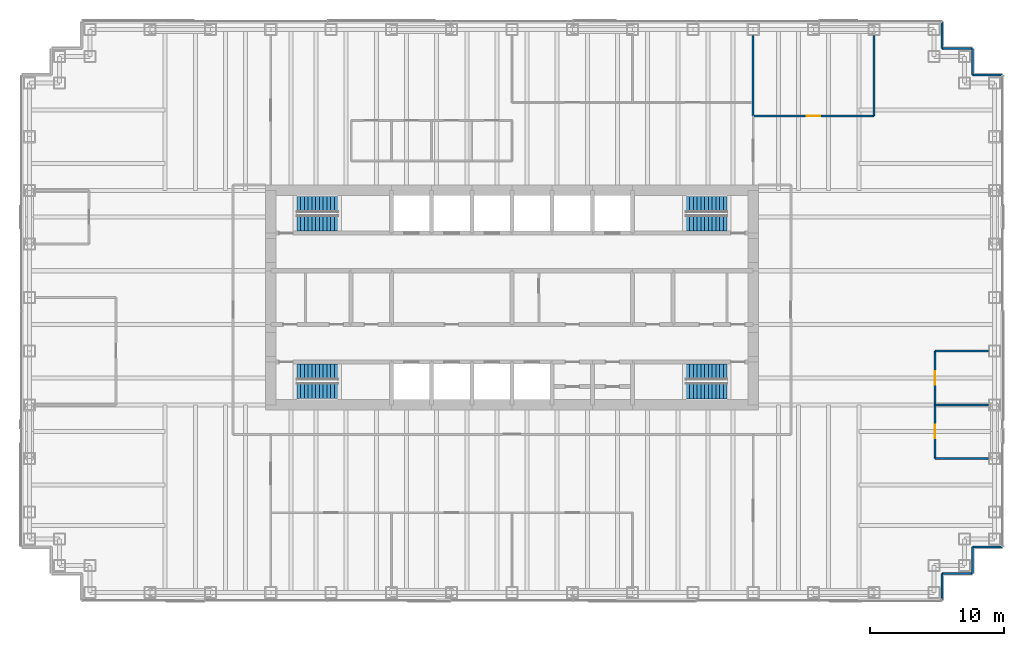
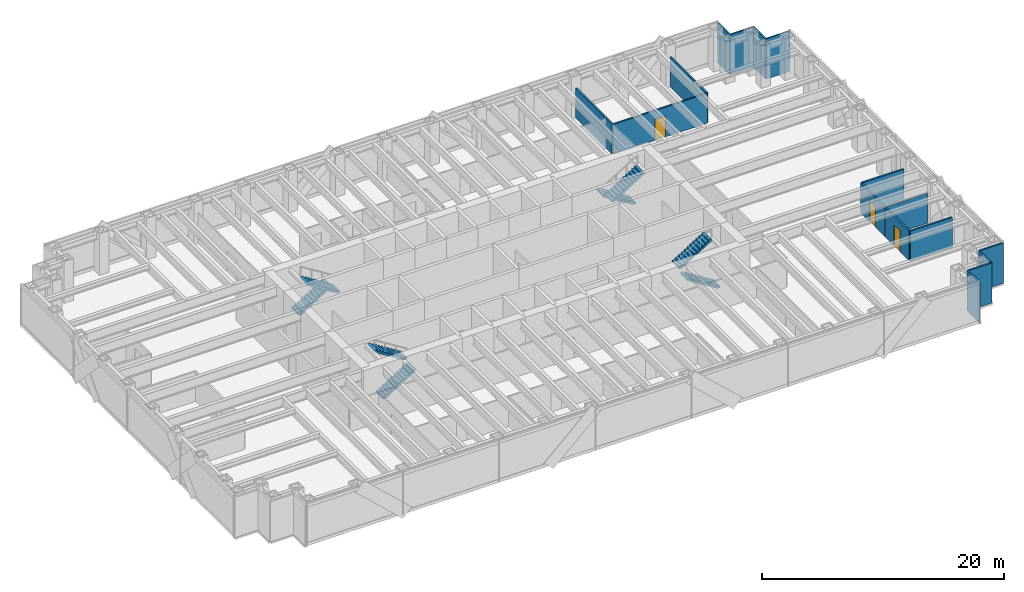
# One storey, part 18 of 19: 16 walls, 8 stair flights, 3 doors, 3 openings, 4 elements without a shape of their own.
"""IFC4 building model written with IfcOpenShell, lengths in metres."""

from ifc_helpers import new_model, si_unit, direction, frame, frame_2d, origin, place, context, subcontext, project, spatial, polyline, rectangle, outline, extrude, material, layer, layer_set, type_object, element, fill, aggregate, save


model = new_model("IFC4")

# Units and contexts
model_context = context("Model", 3, precision=1e-05, world=origin(), true_north=direction((0.0, 1.0)))
body_context = subcontext(model_context, "Body", "Model", "MODEL_VIEW")
ifc_project = project(units=[si_unit("LENGTHUNIT", "METRE"), si_unit("AREAUNIT", "SQUARE_METRE"), si_unit("VOLUMEUNIT", "CUBIC_METRE"), si_unit("PLANEANGLEUNIT", "RADIAN"), si_unit("MASSUNIT", "GRAM", prefix="KILO")], contexts=[model_context])

# Site, building, storey
site_placement = place(None, origin())
site = spatial("IfcSite", under=ifc_project, at=site_placement, CompositionType="ELEMENT")
building_placement = place(site_placement, origin())
building = spatial("IfcBuilding", under=site, at=building_placement, Name="Rheinbord Bourse Tower", CompositionType="ELEMENT")
storey_placement = place(building_placement, frame((0.0, 0.0, 206.800048828125)))
storey = spatial("IfcBuildingStorey", under=building, at=storey_placement, Name="L46", CompositionType="ELEMENT", Elevation=206.800048828125)

# Walls
ifc_material_1 = material(Name="Black metal rainscreen panel", Category="aluminium")
ifc_layer_1 = layer(ifc_material_1, 0.14990234375)
ifc_layer_set_1 = layer_set([ifc_layer_1], Name="CORNER PIER CLADDING 150")
wall_type_1 = type_object("IfcWallType", Name="CORNER PIER CLADDING 150", PredefinedType="ELEMENTEDWALL", material=ifc_layer_set_1)
wall_1_placement = place(storey_placement, frame((68.10009765625, 1.39990234375, 0.0), z_axis=(0.0, 0.0, 1.0), x_axis=(0.0, 1.0, 0.0)))
element("IfcWall", 1, at=wall_1_placement, inside=storey, type_object=wall_type_1, Name="Corner pier cladding L46 2", PredefinedType="ELEMENTEDWALL", context=body_context, shape_type="SweptSolid", body=[
    extrude(rectangle(XDim=2.0, YDim=0.14990234375, at=frame_2d((1.0, 0.0))), origin(), (0.0, 0.0, 1.0), 4.0400390625),
])
wall_2_placement = place(storey_placement, frame((68.10009765625, 3.39990234375, 0.0), z_axis=(0.0, 0.0, 1.0), x_axis=(1.0, 0.0, 0.0)))
element("IfcWall", 2, at=wall_2_placement, inside=storey, type_object=wall_type_1, Name="Corner pier cladding L46 3", PredefinedType="ELEMENTEDWALL", context=body_context, shape_type="SweptSolid", body=[
    extrude(rectangle(XDim=2.25, YDim=0.14990234375, at=frame_2d((1.125, 0.0))), origin(), (0.0, 0.0, 1.0), 4.0400390625),
])
wall_3_placement = place(storey_placement, frame((70.35009765625, 3.39990234375, 0.0), z_axis=(0.0, 0.0, 1.0), x_axis=(0.0, 1.0, 0.0)))
element("IfcWall", 3, at=wall_3_placement, inside=storey, type_object=wall_type_1, Name="Corner pier cladding L46 4", PredefinedType="ELEMENTEDWALL", context=body_context, shape_type="SweptSolid", body=[
    extrude(rectangle(XDim=2.0, YDim=0.14990234375, at=frame_2d((1.0, 0.0))), origin(), (0.0, 0.0, 1.0), 4.0400390625),
])
for number, where, z_axis, x_axis, name in (
    (4, (70.35009765625, 5.39990234375, 0.0), (0.0, 0.0, 1.0), (1.0, 0.0, 0.0), "Corner pier cladding L46 5"),
    (5, (72.60009765625, 40.60009765625, 0.0), (0.0, 0.0, 1.0), (-1.0, 0.0, 0.0), "Corner pier cladding L46 7"),
):
    element("IfcWall", number, at=place(storey_placement, frame(where, z_axis=z_axis, x_axis=x_axis)), inside=storey, type_object=wall_type_1, Name=name, PredefinedType="ELEMENTEDWALL", context=body_context, shape_type="SweptSolid", body=[
        extrude(rectangle(XDim=2.25, YDim=0.14990234375, at=frame_2d((1.125, 0.0))), origin(), (0.0, 0.0, 1.0), 4.0400390625),
    ])
wall_4_placement = place(storey_placement, frame((70.35009765625, 40.60009765625, 0.0), z_axis=(0.0, 0.0, 1.0), x_axis=(0.0, 1.0, 0.0)))
element("IfcWall", 6, at=wall_4_placement, inside=storey, type_object=wall_type_1, Name="Corner pier cladding L46 8", PredefinedType="ELEMENTEDWALL", context=body_context, shape_type="SweptSolid", body=[
    extrude(rectangle(XDim=2.0, YDim=0.14990234375, at=frame_2d((1.0, 0.0))), origin(), (0.0, 0.0, 1.0), 4.0400390625),
])
wall_5_placement = place(storey_placement, frame((70.35009765625, 42.60009765625, 0.0), z_axis=(0.0, 0.0, 1.0), x_axis=(-1.0, 0.0, 0.0)))
element("IfcWall", 7, at=wall_5_placement, inside=storey, type_object=wall_type_1, Name="Corner pier cladding L46 9", PredefinedType="ELEMENTEDWALL", context=body_context, shape_type="SweptSolid", body=[
    extrude(rectangle(XDim=2.25, YDim=0.14990234375, at=frame_2d((1.125, 0.0))), origin(), (0.0, 0.0, 1.0), 4.0400390625),
])
wall_6_placement = place(storey_placement, frame((68.10009765625, 42.60009765625, 0.0), z_axis=(0.0, 0.0, 1.0), x_axis=(0.0, 1.0, 0.0)))
element("IfcWall", 8, at=wall_6_placement, inside=storey, type_object=wall_type_1, Name="Corner pier cladding L46 10", PredefinedType="ELEMENTEDWALL", context=body_context, shape_type="SweptSolid", body=[
    extrude(rectangle(XDim=2.0, YDim=0.14990234375, at=frame_2d((1.0, 0.0))), origin(), (0.0, 0.0, 1.0), 4.0400390625),
])
ifc_material_2 = material(Name="Gypsum board fire partition", Category="gypsum board")
ifc_layer_2 = layer(ifc_material_2, 0.14990234375)
ifc_layer_set_2 = layer_set([ifc_layer_2], Name="FIRE PARTITION 150 EI60")
wall_type_2 = type_object("IfcWallType", Name="FIRE PARTITION 150 EI60", PredefinedType="PARTITIONING", material=ifc_layer_set_2)
for number, where, z_axis, x_axis, name in (
    (9, (67.550048828125, 12.0, 0.0), (0.0, 0.0, 1.0), (1.0, 0.0, 0.0), "Partition L46-02"),
    (10, (67.550048828125, 16.0, 0.0), (0.0, 0.0, 1.0), (1.0, 0.0, 0.0), "Partition L46-05"),
):
    element("IfcWall", number, at=place(storey_placement, frame(where, z_axis=z_axis, x_axis=x_axis)), inside=storey, type_object=wall_type_2, Name=name, PredefinedType="PARTITIONING", context=body_context, shape_type="SweptSolid", body=[
        extrude(rectangle(XDim=4.0, YDim=0.14990234375, at=frame_2d((2.0, 0.0))), origin(), (0.0, 0.0, 1.0), 3.0),
    ])

# Wall, opening, door
wall_7_placement = place(storey_placement, frame((67.550048828125, 12.0, 0.0), z_axis=(0.0, 0.0, 1.0), x_axis=(0.0, 1.0, 0.0)))
wall_7 = element("IfcWall", 11, at=wall_7_placement, inside=storey, type_object=wall_type_2, Name="Partition L46-36", PredefinedType="PARTITIONING", context=body_context, shape_type="SweptSolid", body=[
    extrude(rectangle(XDim=4.0, YDim=0.14990234375, at=frame_2d((2.0, 0.0))), origin(), (0.0, 0.0, 1.0), 3.0),
])
opening_1_placement = place(wall_7_placement, frame((1.5, 0.0, 0.0)))
opening_1 = element("IfcOpeningElement", 12, at=opening_1_placement, cuts=wall_7, Name="Opening 46D04", PredefinedType="OPENING", context=body_context, shape_type="SweptSolid", body=[
    extrude(rectangle(XDim=1.0, YDim=2.10009765625, at=frame_2d((0.5, 1.050048828125))), frame((0.0, 0.0849609375, 0.0), z_axis=(0.0, -1.0, 0.0), x_axis=(1.0, 0.0, 0.0)), (0.0, 0.0, 1.0), 0.169921875),
])
ifc_material_3 = material(Name="Timber fire door", Category="wood")
door_type_1 = type_object("IfcDoorType", Name="FIRE DOOR 1000 EI60", OperationType="SINGLE_SWING_LEFT", PredefinedType="DOOR", material=ifc_material_3)
door_1_placement = place(opening_1_placement, origin())
door_1 = element("IfcDoor", 13, at=door_1_placement, inside=storey, type_object=door_type_1, Name="Comms room door L46", OperationType="SINGLE_SWING_LEFT", OverallHeight=2.10009765625, OverallWidth=1.0, PredefinedType="DOOR", context=body_context, shape_type="SweptSolid", body=[
    extrude(rectangle(XDim=1.0, YDim=2.10009765625, at=frame_2d((0.5, 1.050048828125))), frame((0.0, 0.02490234375, 0.0), z_axis=(0.0, -1.0, 0.0), x_axis=(1.0, 0.0, 0.0)), (0.0, 0.0, 1.0), 0.050048828125),
])
fill(opening_1, door_1)

# Wall
ifc_material_4 = material(Name="Gypsum board partition", Category="gypsum board")
ifc_layer_3 = layer(ifc_material_4, 0.14990234375)
ifc_layer_set_3 = layer_set([ifc_layer_3], Name="PARTITION 150")
wall_type_3 = type_object("IfcWallType", Name="PARTITION 150", PredefinedType="PARTITIONING", material=ifc_layer_set_3)
wall_8_placement = place(storey_placement, frame((67.550048828125, 20.0, 0.0), z_axis=(0.0, 0.0, 1.0), x_axis=(1.0, 0.0, 0.0)))
element("IfcWall", 14, at=wall_8_placement, inside=storey, type_object=wall_type_3, Name="Partition L46-06", PredefinedType="PARTITIONING", context=body_context, shape_type="SweptSolid", body=[
    extrude(rectangle(XDim=4.0, YDim=0.14990234375, at=frame_2d((2.0, 0.0))), origin(), (0.0, 0.0, 1.0), 3.0),
])

# Wall, opening, door
wall_9_placement = place(storey_placement, frame((54.0, 37.550048828125, 0.0), z_axis=(0.0, 0.0, 1.0), x_axis=(1.0, 0.0, 0.0)))
wall_9 = element("IfcWall", 15, at=wall_9_placement, inside=storey, type_object=wall_type_3, Name="Partition L46-14", PredefinedType="PARTITIONING", context=body_context, shape_type="SweptSolid", body=[
    extrude(rectangle(XDim=9.0, YDim=0.14990234375, at=frame_2d((4.5, 0.0))), origin(), (0.0, 0.0, 1.0), 3.0),
])
opening_2_placement = place(wall_9_placement, frame((4.0, 0.0, 0.0)))
opening_2 = element("IfcOpeningElement", 16, at=opening_2_placement, cuts=wall_9, Name="Opening 46D12", PredefinedType="OPENING", context=body_context, shape_type="SweptSolid", body=[
    extrude(rectangle(XDim=1.0, YDim=2.10009765625, at=frame_2d((0.5, 1.050048828125))), frame((0.0, 0.0849609375, 0.0), z_axis=(0.0, -1.0, 0.0), x_axis=(1.0, 0.0, 0.0)), (0.0, 0.0, 1.0), 0.169921875),
])
ifc_material_5 = material(Name="Timber door", Category="wood")
door_type_2 = type_object("IfcDoorType", Name="ROOM DOOR 1000", OperationType="SINGLE_SWING_LEFT", PredefinedType="DOOR", material=ifc_material_5)
door_2_placement = place(opening_2_placement, origin())
door_2 = element("IfcDoor", 17, at=door_2_placement, inside=storey, type_object=door_type_2, Name="Head of operations office door L46", OperationType="SINGLE_SWING_LEFT", OverallHeight=2.10009765625, OverallWidth=1.0, PredefinedType="DOOR", context=body_context, shape_type="SweptSolid", body=[
    extrude(rectangle(XDim=1.0, YDim=2.10009765625, at=frame_2d((0.5, 1.050048828125))), frame((0.0, 0.02490234375, 0.0), z_axis=(0.0, -1.0, 0.0), x_axis=(1.0, 0.0, 0.0)), (0.0, 0.0, 1.0), 0.050048828125),
])
fill(opening_2, door_2)

# Walls
for number, where, z_axis, x_axis, name in (
    (18, (54.0, 37.550048828125, 0.0), (0.0, 0.0, 1.0), (0.0, 1.0, 0.0), "Partition L46-33"),
    (19, (63.0, 37.550048828125, 0.0), (0.0, 0.0, 1.0), (0.0, 1.0, 0.0), "Partition L46-35"),
):
    element("IfcWall", number, at=place(storey_placement, frame(where, z_axis=z_axis, x_axis=x_axis)), inside=storey, type_object=wall_type_3, Name=name, PredefinedType="PARTITIONING", context=body_context, shape_type="SweptSolid", body=[
        extrude(rectangle(XDim=6.0, YDim=0.14990234375, at=frame_2d((3.0, 0.0))), origin(), (0.0, 0.0, 1.0), 3.0),
    ])

# Wall, opening, door
wall_10_placement = place(storey_placement, frame((67.550048828125, 16.0, 0.0), z_axis=(0.0, 0.0, 1.0), x_axis=(0.0, 1.0, 0.0)))
wall_10 = element("IfcWall", 20, at=wall_10_placement, inside=storey, type_object=wall_type_3, Name="Partition L46-37", PredefinedType="PARTITIONING", context=body_context, shape_type="SweptSolid", body=[
    extrude(rectangle(XDim=4.0, YDim=0.14990234375, at=frame_2d((2.0, 0.0))), origin(), (0.0, 0.0, 1.0), 3.0),
])
opening_3_placement = place(wall_10_placement, frame((1.5, 0.0, 0.0)))
opening_3 = element("IfcOpeningElement", 21, at=opening_3_placement, cuts=wall_10, Name="Opening 46D05", PredefinedType="OPENING", context=body_context, shape_type="SweptSolid", body=[
    extrude(rectangle(XDim=1.0, YDim=2.10009765625, at=frame_2d((0.5, 1.050048828125))), frame((0.0, 0.0849609375, 0.0), z_axis=(0.0, -1.0, 0.0), x_axis=(1.0, 0.0, 0.0)), (0.0, 0.0, 1.0), 0.169921875),
])
door_3_placement = place(opening_3_placement, origin())
door_3 = element("IfcDoor", 22, at=door_3_placement, inside=storey, type_object=door_type_2, Name="Store door L46", OperationType="SINGLE_SWING_LEFT", OverallHeight=2.10009765625, OverallWidth=1.0, PredefinedType="DOOR", context=body_context, shape_type="SweptSolid", body=[
    extrude(rectangle(XDim=1.0, YDim=2.10009765625, at=frame_2d((0.5, 1.050048828125))), frame((0.0, 0.02490234375, 0.0), z_axis=(0.0, -1.0, 0.0), x_axis=(1.0, 0.0, 0.0)), (0.0, 0.0, 1.0), 0.050048828125),
])
fill(opening_3, door_3)

# Stair, stair flights
ifc_material_6 = material(Name="Concrete C30/37", Category="concrete")
stair_type = type_object("IfcStairType", Name="CORE STAIR HALF TURN 4200", PredefinedType="HALF_TURN_STAIR", material=ifc_material_6)
stair_1_placement = place(storey_placement, origin())
stair_1 = element("IfcStair", 23, at=stair_1_placement, inside=storey, type_object=stair_type, Name="Stair ST1 L46, type CS6", PredefinedType="HALF_TURN_STAIR")
ifc_material_7 = material(Name="Concrete C30/37", Category="concrete")
stair_flight_type = type_object("IfcStairFlightType", Name="CORE STAIR FLIGHT 1200, 12 RISERS", PredefinedType="STRAIGHT", material=ifc_material_7)
stair_flight_1_placement = place(storey_placement, frame((19.949951171875, 17.050048828125, 0.0), z_axis=(0.0, 0.0, 1.0), x_axis=(1.0, 0.0, 0.0)))
stair_flight_1 = element("IfcStairFlight", 24, at=stair_flight_1_placement, type_object=stair_flight_type, Name="STAIR L46 ST1 F1", NumberOfRisers=12, NumberOfTreads=11, PredefinedType="STRAIGHT", RiserHeight=0.175, TreadLength=0.28, context=body_context, shape_type="SweptSolid", body=[
    extrude(outline(polyline([(0.0, 0.0), (0.0, 0.175048828125), (0.280029296875, 0.175048828125), (0.280029296875, 0.35009765625), (0.56005859375, 0.35009765625), (0.56005859375, 0.52490234375), (0.840087890625, 0.52490234375), (0.840087890625, 0.699951171875), (1.1201171875, 0.699951171875), (1.1201171875, 0.875), (1.39990234375, 0.875), (1.39990234375, 1.050048828125), (1.679931640625, 1.050048828125), (1.679931640625, 1.22509765625), (1.9599609375, 1.22509765625), (1.9599609375, 1.39990234375), (2.239990234375, 1.39990234375), (2.239990234375, 1.574951171875), (2.52001953125, 1.574951171875), (2.52001953125, 1.75), (2.800048828125, 1.75), (2.800048828125, 1.925048828125), (3.080078125, 1.925048828125), (3.080078125, 2.10009765625), (3.080078125, 1.748291015625), (0.28271484375, 0.0), (0.0, 0.0)])), frame((0.0, 0.60009765625, 0.0), z_axis=(0.0, -1.0, 0.0), x_axis=(1.0, 0.0, 0.0)), (0.0, 0.0, 1.0), 1.199951171875),
])
stair_flight_2_placement = place(storey_placement, frame((23.030029296875, 18.449951171875, 2.099853515625), z_axis=(0.0, 0.0, 1.0), x_axis=(-1.0, 0.0, 0.0)))
stair_flight_2 = element("IfcStairFlight", 25, at=stair_flight_2_placement, type_object=stair_flight_type, Name="STAIR L46 ST1 F2", NumberOfRisers=12, NumberOfTreads=11, PredefinedType="STRAIGHT", RiserHeight=0.175, TreadLength=0.28, context=body_context, shape_type="SweptSolid", body=[
    extrude(outline(polyline([(0.0, 0.0), (0.0, 0.175048828125), (0.280029296875, 0.175048828125), (0.280029296875, 0.35009765625), (0.56005859375, 0.35009765625), (0.56005859375, 0.52490234375), (0.840087890625, 0.52490234375), (0.840087890625, 0.699951171875), (1.1201171875, 0.699951171875), (1.1201171875, 0.875), (1.39990234375, 0.875), (1.39990234375, 1.050048828125), (1.679931640625, 1.050048828125), (1.679931640625, 1.22509765625), (1.9599609375, 1.22509765625), (1.9599609375, 1.39990234375), (2.239990234375, 1.39990234375), (2.239990234375, 1.574951171875), (2.52001953125, 1.574951171875), (2.52001953125, 1.75), (2.800048828125, 1.75), (2.800048828125, 1.925048828125), (3.080078125, 1.925048828125), (3.080078125, 2.10009765625), (3.080078125, 1.748291015625), (0.28271484375, 0.0), (0.0, 0.0)])), frame((0.0, 0.60009765625, 0.0), z_axis=(0.0, -1.0, 0.0), x_axis=(1.0, 0.0, 0.0)), (0.0, 0.0, 1.0), 1.199951171875),
])
aggregate(stair_1, [stair_flight_1, stair_flight_2])

stair_2_placement = place(storey_placement, origin())
stair_2 = element("IfcStair", 26, at=stair_2_placement, inside=storey, type_object=stair_type, Name="Stair ST2 L46, type CS6", PredefinedType="HALF_TURN_STAIR")
stair_flight_3_placement = place(storey_placement, frame((19.949951171875, 30.949951171875, 0.0), z_axis=(0.0, 0.0, 1.0), x_axis=(1.0, 0.0, 0.0)))
stair_flight_3 = element("IfcStairFlight", 27, at=stair_flight_3_placement, type_object=stair_flight_type, Name="STAIR L46 ST2 F1", NumberOfRisers=12, NumberOfTreads=11, PredefinedType="STRAIGHT", RiserHeight=0.175, TreadLength=0.28, context=body_context, shape_type="SweptSolid", body=[
    extrude(outline(polyline([(0.0, 0.0), (0.0, 0.175048828125), (0.280029296875, 0.175048828125), (0.280029296875, 0.35009765625), (0.56005859375, 0.35009765625), (0.56005859375, 0.52490234375), (0.840087890625, 0.52490234375), (0.840087890625, 0.699951171875), (1.1201171875, 0.699951171875), (1.1201171875, 0.875), (1.39990234375, 0.875), (1.39990234375, 1.050048828125), (1.679931640625, 1.050048828125), (1.679931640625, 1.22509765625), (1.9599609375, 1.22509765625), (1.9599609375, 1.39990234375), (2.239990234375, 1.39990234375), (2.239990234375, 1.574951171875), (2.52001953125, 1.574951171875), (2.52001953125, 1.75), (2.800048828125, 1.75), (2.800048828125, 1.925048828125), (3.080078125, 1.925048828125), (3.080078125, 2.10009765625), (3.080078125, 1.748291015625), (0.28271484375, 0.0), (0.0, 0.0)])), frame((0.0, 0.60009765625, 0.0), z_axis=(0.0, -1.0, 0.0), x_axis=(1.0, 0.0, 0.0)), (0.0, 0.0, 1.0), 1.199951171875),
])
stair_flight_4_placement = place(storey_placement, frame((23.030029296875, 29.550048828125, 2.099853515625), z_axis=(0.0, 0.0, 1.0), x_axis=(-1.0, 0.0, 0.0)))
stair_flight_4 = element("IfcStairFlight", 28, at=stair_flight_4_placement, type_object=stair_flight_type, Name="STAIR L46 ST2 F2", NumberOfRisers=12, NumberOfTreads=11, PredefinedType="STRAIGHT", RiserHeight=0.175, TreadLength=0.28, context=body_context, shape_type="SweptSolid", body=[
    extrude(outline(polyline([(0.0, 0.0), (0.0, 0.175048828125), (0.280029296875, 0.175048828125), (0.280029296875, 0.35009765625), (0.56005859375, 0.35009765625), (0.56005859375, 0.52490234375), (0.840087890625, 0.52490234375), (0.840087890625, 0.699951171875), (1.1201171875, 0.699951171875), (1.1201171875, 0.875), (1.39990234375, 0.875), (1.39990234375, 1.050048828125), (1.679931640625, 1.050048828125), (1.679931640625, 1.22509765625), (1.9599609375, 1.22509765625), (1.9599609375, 1.39990234375), (2.239990234375, 1.39990234375), (2.239990234375, 1.574951171875), (2.52001953125, 1.574951171875), (2.52001953125, 1.75), (2.800048828125, 1.75), (2.800048828125, 1.925048828125), (3.080078125, 1.925048828125), (3.080078125, 2.10009765625), (3.080078125, 1.748291015625), (0.28271484375, 0.0), (0.0, 0.0)])), frame((0.0, 0.60009765625, 0.0), z_axis=(0.0, -1.0, 0.0), x_axis=(1.0, 0.0, 0.0)), (0.0, 0.0, 1.0), 1.199951171875),
])
aggregate(stair_2, [stair_flight_3, stair_flight_4])

stair_3_placement = place(storey_placement, origin())
stair_3 = element("IfcStair", 29, at=stair_3_placement, inside=storey, type_object=stair_type, Name="Stair ST3 L46, type CS6", PredefinedType="HALF_TURN_STAIR")
stair_flight_5_placement = place(storey_placement, frame((52.050048828125, 17.050048828125, 0.0), z_axis=(0.0, 0.0, 1.0), x_axis=(-1.0, 0.0, 0.0)))
stair_flight_5 = element("IfcStairFlight", 30, at=stair_flight_5_placement, type_object=stair_flight_type, Name="STAIR L46 ST3 F1", NumberOfRisers=12, NumberOfTreads=11, PredefinedType="STRAIGHT", RiserHeight=0.175, TreadLength=0.28, context=body_context, shape_type="SweptSolid", body=[
    extrude(outline(polyline([(0.0, 0.0), (0.0, 0.175048828125), (0.280029296875, 0.175048828125), (0.280029296875, 0.35009765625), (0.56005859375, 0.35009765625), (0.56005859375, 0.52490234375), (0.840087890625, 0.52490234375), (0.840087890625, 0.699951171875), (1.1201171875, 0.699951171875), (1.1201171875, 0.875), (1.39990234375, 0.875), (1.39990234375, 1.050048828125), (1.679931640625, 1.050048828125), (1.679931640625, 1.22509765625), (1.9599609375, 1.22509765625), (1.9599609375, 1.39990234375), (2.239990234375, 1.39990234375), (2.239990234375, 1.574951171875), (2.52001953125, 1.574951171875), (2.52001953125, 1.75), (2.800048828125, 1.75), (2.800048828125, 1.925048828125), (3.080078125, 1.925048828125), (3.080078125, 2.10009765625), (3.080078125, 1.748291015625), (0.28271484375, 0.0), (0.0, 0.0)])), frame((0.0, 0.60009765625, 0.0), z_axis=(0.0, -1.0, 0.0), x_axis=(1.0, 0.0, 0.0)), (0.0, 0.0, 1.0), 1.199951171875),
])
stair_flight_6_placement = place(storey_placement, frame((48.969970703125, 18.449951171875, 2.099853515625), z_axis=(0.0, 0.0, 1.0), x_axis=(1.0, 0.0, 0.0)))
stair_flight_6 = element("IfcStairFlight", 31, at=stair_flight_6_placement, type_object=stair_flight_type, Name="STAIR L46 ST3 F2", NumberOfRisers=12, NumberOfTreads=11, PredefinedType="STRAIGHT", RiserHeight=0.175, TreadLength=0.28, context=body_context, shape_type="SweptSolid", body=[
    extrude(outline(polyline([(0.0, 0.0), (0.0, 0.175048828125), (0.280029296875, 0.175048828125), (0.280029296875, 0.35009765625), (0.56005859375, 0.35009765625), (0.56005859375, 0.52490234375), (0.840087890625, 0.52490234375), (0.840087890625, 0.699951171875), (1.1201171875, 0.699951171875), (1.1201171875, 0.875), (1.39990234375, 0.875), (1.39990234375, 1.050048828125), (1.679931640625, 1.050048828125), (1.679931640625, 1.22509765625), (1.9599609375, 1.22509765625), (1.9599609375, 1.39990234375), (2.239990234375, 1.39990234375), (2.239990234375, 1.574951171875), (2.52001953125, 1.574951171875), (2.52001953125, 1.75), (2.800048828125, 1.75), (2.800048828125, 1.925048828125), (3.080078125, 1.925048828125), (3.080078125, 2.10009765625), (3.080078125, 1.748291015625), (0.28271484375, 0.0), (0.0, 0.0)])), frame((0.0, 0.60009765625, 0.0), z_axis=(0.0, -1.0, 0.0), x_axis=(1.0, 0.0, 0.0)), (0.0, 0.0, 1.0), 1.199951171875),
])
aggregate(stair_3, [stair_flight_5, stair_flight_6])

stair_4_placement = place(storey_placement, origin())
stair_4 = element("IfcStair", 32, at=stair_4_placement, inside=storey, type_object=stair_type, Name="Stair ST4 L46, type CS6", PredefinedType="HALF_TURN_STAIR")
stair_flight_7_placement = place(storey_placement, frame((52.050048828125, 30.949951171875, 0.0), z_axis=(0.0, 0.0, 1.0), x_axis=(-1.0, 0.0, 0.0)))
stair_flight_7 = element("IfcStairFlight", 33, at=stair_flight_7_placement, type_object=stair_flight_type, Name="STAIR L46 ST4 F1", NumberOfRisers=12, NumberOfTreads=11, PredefinedType="STRAIGHT", RiserHeight=0.175, TreadLength=0.28, context=body_context, shape_type="SweptSolid", body=[
    extrude(outline(polyline([(0.0, 0.0), (0.0, 0.175048828125), (0.280029296875, 0.175048828125), (0.280029296875, 0.35009765625), (0.56005859375, 0.35009765625), (0.56005859375, 0.52490234375), (0.840087890625, 0.52490234375), (0.840087890625, 0.699951171875), (1.1201171875, 0.699951171875), (1.1201171875, 0.875), (1.39990234375, 0.875), (1.39990234375, 1.050048828125), (1.679931640625, 1.050048828125), (1.679931640625, 1.22509765625), (1.9599609375, 1.22509765625), (1.9599609375, 1.39990234375), (2.239990234375, 1.39990234375), (2.239990234375, 1.574951171875), (2.52001953125, 1.574951171875), (2.52001953125, 1.75), (2.800048828125, 1.75), (2.800048828125, 1.925048828125), (3.080078125, 1.925048828125), (3.080078125, 2.10009765625), (3.080078125, 1.748291015625), (0.28271484375, 0.0), (0.0, 0.0)])), frame((0.0, 0.60009765625, 0.0), z_axis=(0.0, -1.0, 0.0), x_axis=(1.0, 0.0, 0.0)), (0.0, 0.0, 1.0), 1.199951171875),
])
stair_flight_8_placement = place(storey_placement, frame((48.969970703125, 29.550048828125, 2.099853515625), z_axis=(0.0, 0.0, 1.0), x_axis=(1.0, 0.0, 0.0)))
stair_flight_8 = element("IfcStairFlight", 34, at=stair_flight_8_placement, type_object=stair_flight_type, Name="STAIR L46 ST4 F2", NumberOfRisers=12, NumberOfTreads=11, PredefinedType="STRAIGHT", RiserHeight=0.175, TreadLength=0.28, context=body_context, shape_type="SweptSolid", body=[
    extrude(outline(polyline([(0.0, 0.0), (0.0, 0.175048828125), (0.280029296875, 0.175048828125), (0.280029296875, 0.35009765625), (0.56005859375, 0.35009765625), (0.56005859375, 0.52490234375), (0.840087890625, 0.52490234375), (0.840087890625, 0.699951171875), (1.1201171875, 0.699951171875), (1.1201171875, 0.875), (1.39990234375, 0.875), (1.39990234375, 1.050048828125), (1.679931640625, 1.050048828125), (1.679931640625, 1.22509765625), (1.9599609375, 1.22509765625), (1.9599609375, 1.39990234375), (2.239990234375, 1.39990234375), (2.239990234375, 1.574951171875), (2.52001953125, 1.574951171875), (2.52001953125, 1.75), (2.800048828125, 1.75), (2.800048828125, 1.925048828125), (3.080078125, 1.925048828125), (3.080078125, 2.10009765625), (3.080078125, 1.748291015625), (0.28271484375, 0.0), (0.0, 0.0)])), frame((0.0, 0.60009765625, 0.0), z_axis=(0.0, -1.0, 0.0), x_axis=(1.0, 0.0, 0.0)), (0.0, 0.0, 1.0), 1.199951171875),
])
aggregate(stair_4, [stair_flight_7, stair_flight_8])

save(model, "model.ifc")
